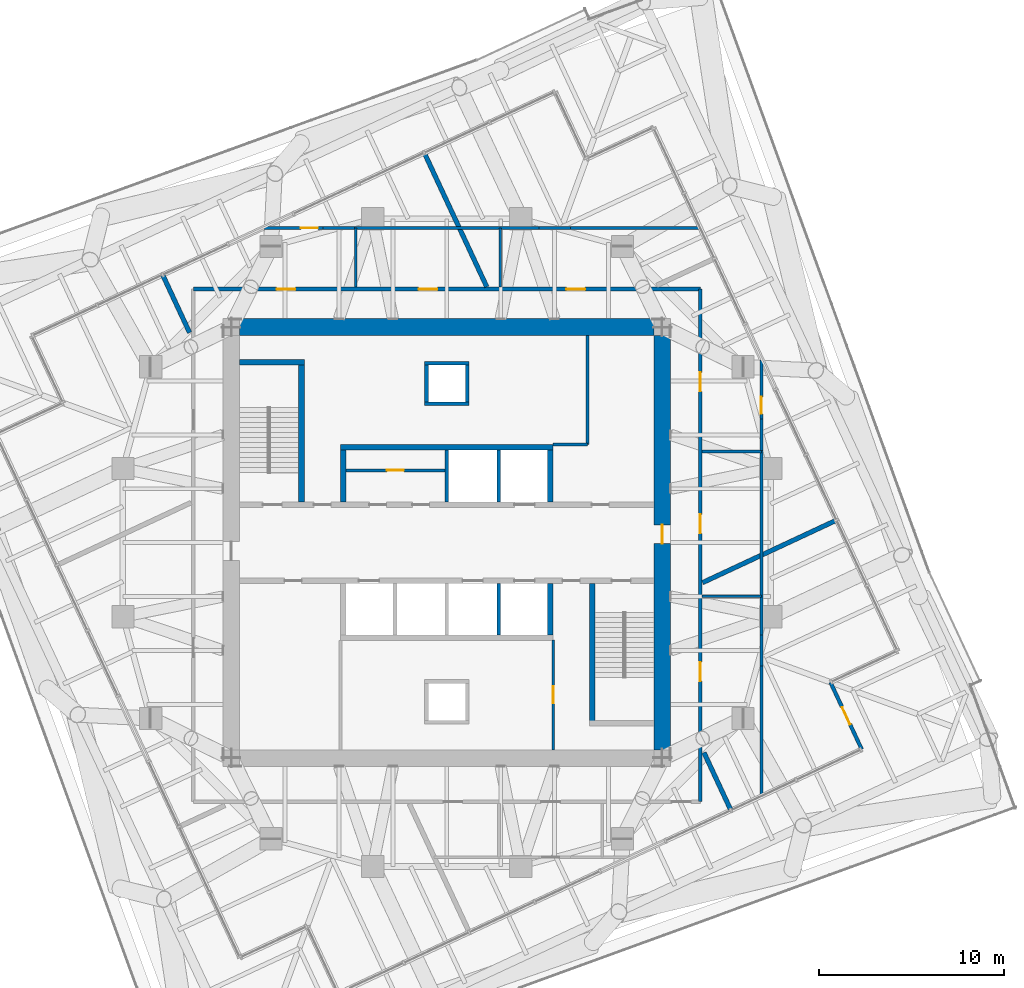
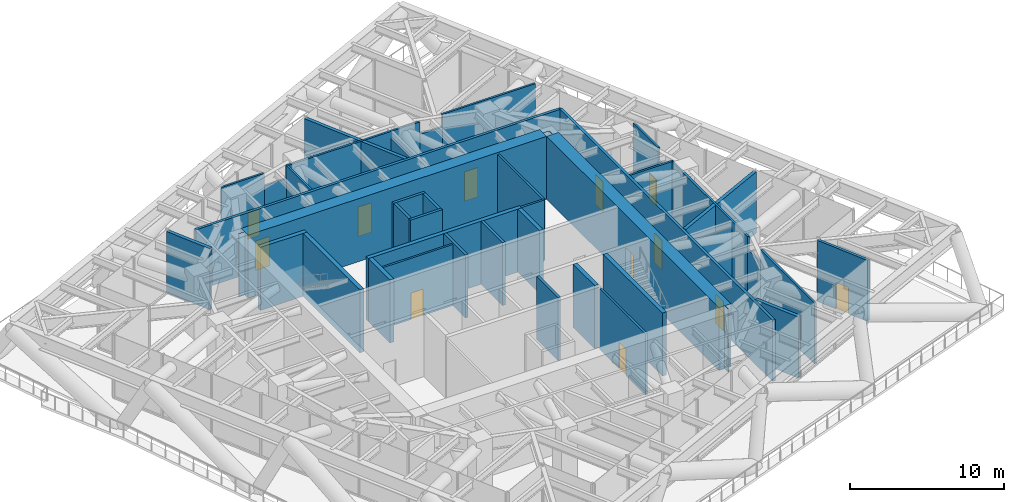
# One storey, part 10 of 16: 41 walls, 12 doors, 12 openings.
"""IFC4 building model written with IfcOpenShell, lengths in metres."""

from ifc_helpers import new_model, si_unit, direction, frame, frame_2d, origin, place, context, subcontext, project, spatial, polyline, rectangle, outline, extrude, material, layer, layer_set, type_object, element, fill, save


model = new_model("IFC4")

# Units and contexts
model_context = context("Model", 3, precision=1e-05, world=origin(), true_north=direction((0.0, 1.0)))
body_context = subcontext(model_context, "Body", "Model", "MODEL_VIEW")
ifc_project = project(units=[si_unit("LENGTHUNIT", "METRE"), si_unit("AREAUNIT", "SQUARE_METRE"), si_unit("VOLUMEUNIT", "CUBIC_METRE"), si_unit("PLANEANGLEUNIT", "RADIAN"), si_unit("MASSUNIT", "GRAM", prefix="KILO")], contexts=[model_context])

# Site, building, storey
site_placement = place(None, origin())
site = spatial("IfcSite", under=ifc_project, at=site_placement, CompositionType="ELEMENT")
building_placement = place(site_placement, origin())
building = spatial("IfcBuilding", under=site, at=building_placement, Name="Torsade Residences", CompositionType="ELEMENT")
storey_placement = place(building_placement, frame((0.0, 0.0, 171.0)))
storey = spatial("IfcBuildingStorey", under=building, at=storey_placement, Name="L47", CompositionType="ELEMENT", Elevation=171.0)

# Walls
ifc_material_1 = material(Name="Concrete 80 MPa", Category="concrete")
ifc_layer_1 = layer(ifc_material_1, 0.300048828125)
ifc_layer_set_1 = layer_set([ifc_layer_1], Name="Concrete 80 MPa")
wall_type_1 = type_object("IfcWallType", Name="CORE INTERNAL WALL 300", PredefinedType="SHEAR", material=ifc_layer_set_1)
wall_1_placement = place(storey_placement, frame((34.25, 35.14990234375, 0.0), z_axis=(0.0, 0.0, 1.0), x_axis=(1.0, 0.0, 0.0)))
element("IfcWall", 1, at=wall_1_placement, inside=storey, type_object=wall_type_1, Name="Core wall BN L47", PredefinedType="SHEAR", context=body_context, shape_type="SweptSolid", body=[
    extrude(rectangle(XDim=11.5, YDim=0.300048828125, at=frame_2d((5.75, 0.0))), origin(), (0.0, 0.0, 1.0), 5.0),
])
for number, where, z_axis, x_axis, name in (
    (2, (34.39990234375, 32.199951171875, 0.0), (0.0, 0.0, 1.0), (0.0, 1.0, 0.0), "Core wall DN0 L47"),
    (3, (45.60009765625, 27.800048828125, 0.0), (0.0, 0.0, 1.0), (0.0, -1.0, 0.0), "Core wall DS0 L47"),
    (4, (45.60009765625, 32.199951171875, 0.0), (0.0, 0.0, 1.0), (0.0, 1.0, 0.0), "Core wall DN4 L47"),
):
    element("IfcWall", number, at=place(storey_placement, frame(where, z_axis=z_axis, x_axis=x_axis)), inside=storey, type_object=wall_type_1, Name=name, PredefinedType="SHEAR", context=body_context, shape_type="SweptSolid", body=[
        extrude(rectangle(XDim=2.800048828125, YDim=0.300048828125, at=frame_2d((1.39990234375, 0.0))), origin(), (0.0, 0.0, 1.0), 5.0),
    ])
wall_2_placement = place(storey_placement, frame((32.14990234375, 32.199951171875, 0.0), z_axis=(0.0, 0.0, 1.0), x_axis=(0.0, 1.0, 0.0)))
element("IfcWall", 5, at=wall_2_placement, inside=storey, type_object=wall_type_1, Name="Core wall ST1E L47", PredefinedType="SHEAR", context=body_context, shape_type="SweptSolid", body=[
    extrude(rectangle(XDim=7.699951171875, YDim=0.300048828125, at=frame_2d((3.85009765625, 0.0))), origin(), (0.0, 0.0, 1.0), 5.0),
])
wall_3_placement = place(storey_placement, frame((28.800048828125, 39.75, 0.0), z_axis=(0.0, 0.0, 1.0), x_axis=(1.0, 0.0, 0.0)))
element("IfcWall", 6, at=wall_3_placement, inside=storey, type_object=wall_type_1, Name="Core wall ST1N L47", PredefinedType="SHEAR", context=body_context, shape_type="SweptSolid", body=[
    extrude(rectangle(XDim=3.5, YDim=0.300048828125, at=frame_2d((1.75, 0.0))), origin(), (0.0, 0.0, 1.0), 5.0),
])
wall_4_placement = place(storey_placement, frame((47.85009765625, 27.800048828125, 0.0), z_axis=(0.0, 0.0, 1.0), x_axis=(0.0, -1.0, 0.0)))
element("IfcWall", 7, at=wall_4_placement, inside=storey, type_object=wall_type_1, Name="Core wall ST2W L47", PredefinedType="SHEAR", context=body_context, shape_type="SweptSolid", body=[
    extrude(rectangle(XDim=7.699951171875, YDim=0.300048828125, at=frame_2d((3.85009765625, 0.0))), origin(), (0.0, 0.0, 1.0), 5.0),
])
ifc_material_2 = material(Name="Concrete 80 MPa", Category="concrete")
ifc_layer_2 = layer(ifc_material_2, 0.89990234375)
ifc_layer_set_2 = layer_set([ifc_layer_2], Name="Concrete 80 MPa")
wall_type_2 = type_object("IfcWallType", Name="CORE WALL 900", PredefinedType="SHEAR", material=ifc_layer_set_2)
wall_5_placement = place(storey_placement, frame((28.800048828125, 41.64990234375, 0.0), z_axis=(0.0, 0.0, 1.0), x_axis=(1.0, 0.0, 0.0)))
element("IfcWall", 8, at=wall_5_placement, inside=storey, type_object=wall_type_2, Name="Core wall N L47", PredefinedType="SHEAR", context=body_context, shape_type="SweptSolid", body=[
    extrude(outline(polyline([(0.0, -0.449951171875), (22.39990234375, -0.449951171875), (22.39990234375, -0.02490234375), (22.849853515625, -0.02490234375), (22.849853515625, 0.02490234375), (22.39990234375, 0.02490234375), (22.39990234375, 0.449951171875), (0.0, 0.449951171875), (0.0, 0.02490234375), (-0.449951171875, 0.02490234375), (-0.449951171875, -0.02490234375), (0.0, -0.02490234375), (0.0, -0.449951171875)])), origin(), (0.0, 0.0, 1.0), 5.0),
])

# Wall, opening, door
wall_6_placement = place(storey_placement, frame((51.64990234375, 18.800048828125, 0.0), z_axis=(0.0, 0.0, 1.0), x_axis=(0.0, 1.0, 0.0)))
wall_6 = element("IfcWall", 9, at=wall_6_placement, inside=storey, type_object=wall_type_2, Name="Core wall E L47", PredefinedType="SHEAR", context=body_context, shape_type="SweptSolid", body=[
    extrude(outline(polyline([(0.0, -0.449951171875), (22.39990234375, -0.449951171875), (22.39990234375, -0.02490234375), (22.849853515625, -0.02490234375), (22.849853515625, 0.02490234375), (22.39990234375, 0.02490234375), (22.39990234375, 0.449951171875), (0.0, 0.449951171875), (0.0, 0.02490234375), (-0.449951171875, 0.02490234375), (-0.449951171875, -0.02490234375), (0.0, -0.02490234375), (0.0, -0.449951171875)])), origin(), (0.0, 0.0, 1.0), 5.0),
])
opening_1_placement = place(wall_6_placement, frame((11.139892578125, 0.0, 0.0)))
opening_1 = element("IfcOpeningElement", 10, at=opening_1_placement, cuts=wall_6, Name="Opening D04", PredefinedType="OPENING", context=body_context, shape_type="SweptSolid", body=[
    extrude(rectangle(XDim=1.02001953125, YDim=2.39990234375, at=frame_2d((0.510009765625, 1.199951171875))), frame((0.0, 0.4599609375, 0.0), z_axis=(0.0, -1.0, 0.0), x_axis=(1.0, 0.0, 0.0)), (0.0, 0.0, 1.0), 0.919921875),
])
ifc_material_3 = material(Name="Steel-framed fire door", Category="steel")
door_type_1 = type_object("IfcDoorType", Name="LOBBY SMOKE DOOR 1020x2400", OperationType="NOTDEFINED", PredefinedType="DOOR", material=ifc_material_3)
door_1_placement = place(opening_1_placement, origin())
door_1 = element("IfcDoor", 11, at=door_1_placement, inside=storey, type_object=door_type_1, Name="Lift lobby door E L47", OperationType="SINGLE_SWING_LEFT", OverallHeight=2.39990234375, OverallWidth=1.02001953125, PredefinedType="DOOR", context=body_context, shape_type="SweptSolid", body=[
    extrude(rectangle(XDim=1.02001953125, YDim=2.39990234375, at=frame_2d((0.510009765625, 1.199951171875))), frame((0.0, 0.02490234375, 0.0), z_axis=(0.0, -1.0, 0.0), x_axis=(1.0, 0.0, 0.0)), (0.0, 0.0, 1.0), 0.050048828125),
])
fill(opening_1, door_1)

# Wall, openings, doors
ifc_material_4 = material(Name="Plasterboard on steel stud", Category="steel")
ifc_layer_3 = layer(ifc_material_4, 0.199951171875)
ifc_layer_set_3 = layer_set([ifc_layer_3], Name="Plasterboard on steel stud")
wall_type_3 = type_object("IfcWallType", Name="CORRIDOR WALL 200", PredefinedType="PARTITIONING", material=ifc_layer_set_3)
wall_7_placement = place(storey_placement, frame((53.699951171875, 16.0, 0.0), z_axis=(0.0, 0.0, 1.0), x_axis=(0.0, 1.0, 0.0)))
wall_7 = element("IfcWall", 12, at=wall_7_placement, inside=storey, type_object=wall_type_3, Name="Corridor wall L47", PredefinedType="PARTITIONING", context=body_context, shape_type="SweptSolid", body=[
    extrude(rectangle(XDim=27.699951171875, YDim=0.199951171875, at=frame_2d((13.85009765625, 0.0))), origin(), (0.0, 0.0, 1.0), 4.85009765625),
])
opening_2_placement = place(wall_7_placement, frame((22.176025390625, 0.0, 0.0)))
opening_2 = element("IfcOpeningElement", 13, at=opening_2_placement, cuts=wall_7, Name="Opening D01", PredefinedType="OPENING", context=body_context, shape_type="SweptSolid", body=[
    extrude(rectangle(XDim=1.02001953125, YDim=2.340087890625, at=frame_2d((0.510009765625, 1.169921875))), frame((0.0, 0.10986328125, 0.0), z_axis=(0.0, -1.0, 0.0), x_axis=(1.0, 0.0, 0.0)), (0.0, 0.0, 1.0), 0.219970703125),
])
opening_3_placement = place(wall_7_placement, frame((6.518798828125, 0.0, 0.0)))
opening_3 = element("IfcOpeningElement", 14, at=opening_3_placement, cuts=wall_7, Name="Opening D01", PredefinedType="OPENING", context=body_context, shape_type="SweptSolid", body=[
    extrude(rectangle(XDim=1.02001953125, YDim=2.340087890625, at=frame_2d((0.510009765625, 1.169921875))), frame((0.0, 0.10986328125, 0.0), z_axis=(0.0, -1.0, 0.0), x_axis=(1.0, 0.0, 0.0)), (0.0, 0.0, 1.0), 0.219970703125),
])
opening_4_placement = place(wall_7_placement, frame((14.505126953125, 0.0, 0.0)))
opening_4 = element("IfcOpeningElement", 15, at=opening_4_placement, cuts=wall_7, Name="Opening D01", PredefinedType="OPENING", context=body_context, shape_type="SweptSolid", body=[
    extrude(rectangle(XDim=1.02001953125, YDim=2.340087890625, at=frame_2d((0.510009765625, 1.169921875))), frame((0.0, 0.10986328125, 0.0), z_axis=(0.0, -1.0, 0.0), x_axis=(1.0, 0.0, 0.0)), (0.0, 0.0, 1.0), 0.219970703125),
])
ifc_material_5 = material(Name="Solid-core timber fire door", Category="wood")
door_type_2 = type_object("IfcDoorType", Name="APARTMENT ENTRY DOOR 1020x2340", OperationType="NOTDEFINED", PredefinedType="DOOR", material=ifc_material_5)
door_2_placement = place(opening_2_placement, origin())
door_2 = element("IfcDoor", 16, at=door_2_placement, inside=storey, type_object=door_type_2, Name="Door Plant corridor to Service lobby", OperationType="SINGLE_SWING_RIGHT", OverallHeight=2.340087890625, OverallWidth=1.02001953125, PredefinedType="DOOR", context=body_context, shape_type="SweptSolid", body=[
    extrude(rectangle(XDim=1.02001953125, YDim=2.340087890625, at=frame_2d((0.510009765625, 1.169921875))), frame((0.0, 0.02490234375, 0.0), z_axis=(0.0, -1.0, 0.0), x_axis=(1.0, 0.0, 0.0)), (0.0, 0.0, 1.0), 0.050048828125),
])
fill(opening_2, door_2)
door_3_placement = place(opening_3_placement, origin())
door_3 = element("IfcDoor", 17, at=door_3_placement, inside=storey, type_object=door_type_2, Name="Door Plant corridor to Plant cupboard", OperationType="SINGLE_SWING_LEFT", OverallHeight=2.340087890625, OverallWidth=1.02001953125, PredefinedType="DOOR", context=body_context, shape_type="SweptSolid", body=[
    extrude(rectangle(XDim=1.02001953125, YDim=2.340087890625, at=frame_2d((0.510009765625, 1.169921875))), frame((0.0, 0.02490234375, 0.0), z_axis=(0.0, -1.0, 0.0), x_axis=(1.0, 0.0, 0.0)), (0.0, 0.0, 1.0), 0.050048828125),
])
fill(opening_3, door_3)
door_4_placement = place(opening_4_placement, origin())
door_4 = element("IfcDoor", 18, at=door_4_placement, inside=storey, type_object=door_type_2, Name="Door Plant corridor to Store", OperationType="SINGLE_SWING_LEFT", OverallHeight=2.340087890625, OverallWidth=1.02001953125, PredefinedType="DOOR", context=body_context, shape_type="SweptSolid", body=[
    extrude(rectangle(XDim=1.02001953125, YDim=2.340087890625, at=frame_2d((0.510009765625, 1.169921875))), frame((0.0, 0.02490234375, 0.0), z_axis=(0.0, -1.0, 0.0), x_axis=(1.0, 0.0, 0.0)), (0.0, 0.0, 1.0), 0.050048828125),
])
fill(opening_4, door_4)

wall_8_placement = place(storey_placement, frame((53.699951171875, 43.699951171875, 0.0), z_axis=(0.0, 0.0, 1.0), x_axis=(-1.0, 0.0, 0.0)))
wall_8 = element("IfcWall", 19, at=wall_8_placement, inside=storey, type_object=wall_type_3, Name="Corridor wall L47", PredefinedType="PARTITIONING", context=body_context, shape_type="SweptSolid", body=[
    extrude(rectangle(XDim=27.39990234375, YDim=0.199951171875, at=frame_2d((13.699951171875, 0.0))), origin(), (0.0, 0.0, 1.0), 4.85009765625),
])
opening_5_placement = place(wall_8_placement, frame((21.8759765625, 0.0, 0.0)))
opening_5 = element("IfcOpeningElement", 20, at=opening_5_placement, cuts=wall_8, Name="Opening D01", PredefinedType="OPENING", context=body_context, shape_type="SweptSolid", body=[
    extrude(rectangle(XDim=1.02001953125, YDim=2.340087890625, at=frame_2d((0.510009765625, 1.169921875))), frame((0.0, 0.10986328125, 0.0), z_axis=(0.0, -1.0, 0.0), x_axis=(1.0, 0.0, 0.0)), (0.0, 0.0, 1.0), 0.219970703125),
])
opening_6_placement = place(wall_8_placement, frame((6.218994140625, 0.0, 0.0)))
opening_6 = element("IfcOpeningElement", 21, at=opening_6_placement, cuts=wall_8, Name="Opening D01", PredefinedType="OPENING", context=body_context, shape_type="SweptSolid", body=[
    extrude(rectangle(XDim=1.02001953125, YDim=2.340087890625, at=frame_2d((0.510009765625, 1.169921875))), frame((0.0, 0.10986328125, 0.0), z_axis=(0.0, -1.0, 0.0), x_axis=(1.0, 0.0, 0.0)), (0.0, 0.0, 1.0), 0.219970703125),
])
opening_7_placement = place(wall_8_placement, frame((14.205078125, 0.0, 0.0)))
opening_7 = element("IfcOpeningElement", 22, at=opening_7_placement, cuts=wall_8, Name="Opening D01", PredefinedType="OPENING", context=body_context, shape_type="SweptSolid", body=[
    extrude(rectangle(XDim=1.02001953125, YDim=2.340087890625, at=frame_2d((0.510009765625, 1.169921875))), frame((0.0, 0.10986328125, 0.0), z_axis=(0.0, -1.0, 0.0), x_axis=(1.0, 0.0, 0.0)), (0.0, 0.0, 1.0), 0.219970703125),
])
door_5_placement = place(opening_5_placement, origin())
door_5 = element("IfcDoor", 23, at=door_5_placement, inside=storey, type_object=door_type_2, Name="Door Plant corridor to Service lobby", OperationType="SINGLE_SWING_LEFT", OverallHeight=2.340087890625, OverallWidth=1.02001953125, PredefinedType="DOOR", context=body_context, shape_type="SweptSolid", body=[
    extrude(rectangle(XDim=1.02001953125, YDim=2.340087890625, at=frame_2d((0.510009765625, 1.169921875))), frame((0.0, 0.02490234375, 0.0), z_axis=(0.0, -1.0, 0.0), x_axis=(1.0, 0.0, 0.0)), (0.0, 0.0, 1.0), 0.050048828125),
])
fill(opening_5, door_5)
door_6_placement = place(opening_6_placement, origin())
door_6 = element("IfcDoor", 24, at=door_6_placement, inside=storey, type_object=door_type_2, Name="Door Plant corridor to Plant cupboard", OperationType="SINGLE_SWING_RIGHT", OverallHeight=2.340087890625, OverallWidth=1.02001953125, PredefinedType="DOOR", context=body_context, shape_type="SweptSolid", body=[
    extrude(rectangle(XDim=1.02001953125, YDim=2.340087890625, at=frame_2d((0.510009765625, 1.169921875))), frame((0.0, 0.02490234375, 0.0), z_axis=(0.0, -1.0, 0.0), x_axis=(1.0, 0.0, 0.0)), (0.0, 0.0, 1.0), 0.050048828125),
])
fill(opening_6, door_6)
door_7_placement = place(opening_7_placement, origin())
door_7 = element("IfcDoor", 25, at=door_7_placement, inside=storey, type_object=door_type_2, Name="Door Plant corridor to Store", OperationType="SINGLE_SWING_RIGHT", OverallHeight=2.340087890625, OverallWidth=1.02001953125, PredefinedType="DOOR", context=body_context, shape_type="SweptSolid", body=[
    extrude(rectangle(XDim=1.02001953125, YDim=2.340087890625, at=frame_2d((0.510009765625, 1.169921875))), frame((0.0, 0.02490234375, 0.0), z_axis=(0.0, -1.0, 0.0), x_axis=(1.0, 0.0, 0.0)), (0.0, 0.0, 1.0), 0.050048828125),
])
fill(opening_7, door_7)

# Walls
ifc_material_6 = material(Name="Reinforced blockwork", Category="masonry")
ifc_layer_4 = layer(ifc_material_6, 0.199951171875)
ifc_layer_set_4 = layer_set([ifc_layer_4], Name="Reinforced blockwork")
wall_type_4 = type_object("IfcWallType", Name="LIFT SHAFT DIVIDING WALL 200", PredefinedType="SOLIDWALL", material=ifc_layer_set_4)
for number, where, z_axis, x_axis, name in (
    (26, (42.800048828125, 27.800048828125, 0.0), (0.0, 0.0, 1.0), (0.0, -1.0, 0.0), "Core wall DS1 L47"),
    (27, (40.0, 32.199951171875, 0.0), (0.0, 0.0, 1.0), (0.0, 1.0, 0.0), "Core wall DN2 L47"),
    (28, (42.800048828125, 32.199951171875, 0.0), (0.0, 0.0, 1.0), (0.0, 1.0, 0.0), "Core wall DN3 L47"),
):
    element("IfcWall", number, at=place(storey_placement, frame(where, z_axis=z_axis, x_axis=x_axis)), inside=storey, type_object=wall_type_4, Name=name, PredefinedType="SOLIDWALL", context=body_context, shape_type="SweptSolid", body=[
        extrude(rectangle(XDim=2.800048828125, YDim=0.199951171875, at=frame_2d((1.39990234375, 0.0))), origin(), (0.0, 0.0, 1.0), 5.0),
    ])
ifc_material_7 = material(Name="Masonry-lined stud party wall", Category="masonry")
ifc_layer_5 = layer(ifc_material_7, 0.25)
ifc_layer_set_5 = layer_set([ifc_layer_5], Name="Masonry-lined stud party wall")
wall_type_5 = type_object("IfcWallType", Name="PARTY WALL 250", PredefinedType="PARTITIONING", material=ifc_layer_set_5)
wall_9_placement = place(storey_placement, frame((55.3525390625, 15.53271484375, 0.0), z_axis=(0.0, 0.0, 1.0), x_axis=(-0.422586759932, 0.906322475905, 0.0)))
element("IfcWall", 29, at=wall_9_placement, inside=storey, type_object=wall_type_5, Name="Party wall L47", PredefinedType="PARTITIONING", context=body_context, shape_type="SweptSolid", body=[
    extrude(rectangle(XDim=3.445556640625, YDim=0.25, at=frame_2d((1.72265625, 0.0))), origin(), (0.0, 0.0, 1.0), 4.85009765625),
])
for number, where, z_axis, x_axis, name in (
    (30, (61.06005859375, 31.214111328125, 0.0), (0.0, 0.0, 1.0), (-0.906306405344, -0.422621224778, 0.0), "Party wall L47"),
    (31, (38.785888671875, 51.06005859375, 0.0), (0.0, 0.0, 1.0), (0.422621224778, -0.906306405344, 0.0), "Party wall L47"),
):
    element("IfcWall", number, at=place(storey_placement, frame(where, z_axis=z_axis, x_axis=x_axis)), inside=storey, type_object=wall_type_5, Name=name, PredefinedType="PARTITIONING", context=body_context, shape_type="SweptSolid", body=[
        extrude(rectangle(XDim=7.9921875, YDim=0.25, at=frame_2d((3.99609375, 0.0))), origin(), (0.0, 0.0, 1.0), 4.85009765625),
    ])
wall_10_placement = place(storey_placement, frame((24.6474609375, 44.46728515625, 0.0), z_axis=(0.0, 0.0, 1.0), x_axis=(0.422586759932, -0.906322475905, 0.0)))
element("IfcWall", 32, at=wall_10_placement, inside=storey, type_object=wall_type_5, Name="Party wall L47", PredefinedType="PARTITIONING", context=body_context, shape_type="SweptSolid", body=[
    extrude(rectangle(XDim=3.445556640625, YDim=0.25, at=frame_2d((1.72265625, 0.0))), origin(), (0.0, 0.0, 1.0), 4.85009765625),
])

# Wall, opening, door
ifc_material_8 = material(Name="Stone-faced precast concrete 40 MPa panel", Category="masonry")
ifc_layer_6 = layer(ifc_material_8, 0.199951171875)
ifc_layer_set_6 = layer_set([ifc_layer_6], Name="Stone-faced precast concrete 40 MPa panel")
wall_type_6 = type_object("IfcWallType", Name="PLANT ROOM EXTERNAL WALL 200", PredefinedType="SOLIDWALL", material=ifc_layer_set_6)
wall_11_placement = place(storey_placement, frame((62.421630859375, 18.8291015625, 0.0), z_axis=(0.0, 0.0, 1.0), x_axis=(-0.422608113797, 0.906312519031, 0.0)))
wall_11 = element("IfcWall", 33, at=wall_11_placement, inside=storey, type_object=wall_type_6, Name="Plant room wall L47 2", PredefinedType="SOLIDWALL", context=body_context, shape_type="SweptSolid", body=[
    extrude(rectangle(XDim=4.0, YDim=0.199951171875, at=frame_2d((2.0, 0.0))), origin(), (0.0, 0.0, 1.0), 4.85009765625),
])
opening_8_placement = place(wall_11_placement, frame((1.489990234375, 0.0, 0.0)))
opening_8 = element("IfcOpeningElement", 34, at=opening_8_placement, cuts=wall_11, Name="Opening D11", PredefinedType="OPENING", context=body_context, shape_type="SweptSolid", body=[
    extrude(rectangle(XDim=1.02001953125, YDim=2.10009765625, at=frame_2d((0.510009765625, 1.050048828125))), frame((0.0, 0.10986328125, 0.0), z_axis=(0.0, -1.0, 0.0), x_axis=(1.0, 0.0, 0.0)), (0.0, 0.0, 1.0), 0.219970703125),
])
ifc_material_9 = material(Name="Steel-framed external door", Category="steel")
door_type_3 = type_object("IfcDoorType", Name="MAINTENANCE ROOF DOOR 1020", OperationType="NOTDEFINED", PredefinedType="DOOR", material=ifc_material_9)
door_8_placement = place(opening_8_placement, origin())
door_8 = element("IfcDoor", 35, at=door_8_placement, inside=storey, type_object=door_type_3, Name="Maintenance roof door L47", OperationType="SINGLE_SWING_RIGHT", OverallHeight=2.10009765625, OverallWidth=1.02001953125, PredefinedType="DOOR", context=body_context, shape_type="SweptSolid", body=[
    extrude(rectangle(XDim=1.02001953125, YDim=2.10009765625, at=frame_2d((0.510009765625, 1.050048828125))), frame((0.0, 0.02490234375, 0.0), z_axis=(0.0, -1.0, 0.0), x_axis=(1.0, 0.0, 0.0)), (0.0, 0.0, 1.0), 0.050048828125),
])
fill(opening_8, door_8)

# Walls
ifc_material_10 = material(Name="Reinforced blockwork", Category="masonry")
ifc_layer_7 = layer(ifc_material_10, 0.199951171875)
ifc_layer_set_7 = layer_set([ifc_layer_7], Name="Reinforced blockwork")
wall_type_7 = type_object("IfcWallType", Name="RISER SHAFT WALL 200", PredefinedType="SOLIDWALL", material=ifc_layer_set_7)
for number, where, z_axis, x_axis, name in (
    (36, (38.89990234375, 37.60009765625, 0.0), (0.0, 0.0, 1.0), (0.0, 1.0, 0.0), "Core wall RS1a L47"),
    (37, (41.10009765625, 37.60009765625, 0.0), (0.0, 0.0, 1.0), (0.0, 1.0, 0.0), "Core wall RS1b L47"),
):
    element("IfcWall", number, at=place(storey_placement, frame(where, z_axis=z_axis, x_axis=x_axis)), inside=storey, type_object=wall_type_7, Name=name, PredefinedType="SOLIDWALL", context=body_context, shape_type="SweptSolid", body=[
        extrude(rectangle(XDim=2.0, YDim=0.199951171875, at=frame_2d((1.0, 0.0))), origin(), (0.0, 0.0, 1.0), 5.0),
    ])
for number, where, z_axis, x_axis, name in (
    (38, (38.800048828125, 37.5, 0.0), (0.0, 0.0, 1.0), (1.0, 0.0, 0.0), "Core wall RS1c L47"),
    (39, (38.800048828125, 39.699951171875, 0.0), (0.0, 0.0, 1.0), (1.0, 0.0, 0.0), "Core wall RS1d L47"),
):
    element("IfcWall", number, at=place(storey_placement, frame(where, z_axis=z_axis, x_axis=x_axis)), inside=storey, type_object=wall_type_7, Name=name, PredefinedType="SOLIDWALL", context=body_context, shape_type="SweptSolid", body=[
        extrude(rectangle(XDim=2.39990234375, YDim=0.199951171875, at=frame_2d((1.199951171875, 0.0))), origin(), (0.0, 0.0, 1.0), 5.0),
    ])
ifc_material_11 = material(Name="Reinforced blockwork", Category="masonry")
ifc_layer_8 = layer(ifc_material_11, 0.14990234375)
ifc_layer_set_8 = layer_set([ifc_layer_8], Name="Reinforced blockwork")
wall_type_8 = type_object("IfcWallType", Name="SERVICE ROOM WALL 150", PredefinedType="SOLIDWALL", material=ifc_layer_set_8)
wall_12_placement = place(storey_placement, frame((47.60009765625, 41.199951171875, 0.0), z_axis=(0.0, 0.0, 1.0), x_axis=(0.0, -1.0, 0.0)))
element("IfcWall", 40, at=wall_12_placement, inside=storey, type_object=wall_type_8, Name="Service room wall L47", PredefinedType="SOLIDWALL", context=body_context, shape_type="SweptSolid", body=[
    extrude(rectangle(XDim=5.89990234375, YDim=0.14990234375, at=frame_2d((2.949951171875, 0.0))), origin(), (0.0, 0.0, 1.0), 4.85009765625),
])
wall_13_placement = place(storey_placement, frame((47.60009765625, 35.300048828125, 0.0), z_axis=(0.0, 0.0, 1.0), x_axis=(-1.0, 0.0, 0.0)))
element("IfcWall", 41, at=wall_13_placement, inside=storey, type_object=wall_type_8, Name="Service room wall L47", PredefinedType="SOLIDWALL", context=body_context, shape_type="SweptSolid", body=[
    extrude(rectangle(XDim=1.85009765625, YDim=0.14990234375, at=frame_2d((0.925048828125, 0.0))), origin(), (0.0, 0.0, 1.0), 4.85009765625),
])

# Wall, opening, door
wall_14_placement = place(storey_placement, frame((45.75, 18.800048828125, 0.0), z_axis=(0.0, 0.0, 1.0), x_axis=(0.0, 1.0, 0.0)))
wall_14 = element("IfcWall", 42, at=wall_14_placement, inside=storey, type_object=wall_type_8, Name="Service room wall L47", PredefinedType="SOLIDWALL", context=body_context, shape_type="SweptSolid", body=[
    extrude(rectangle(XDim=5.949951171875, YDim=0.14990234375, at=frame_2d((2.97509765625, 0.0))), origin(), (0.0, 0.0, 1.0), 4.85009765625),
])
opening_9_placement = place(wall_14_placement, frame((2.514892578125, 0.0, 0.0)))
opening_9 = element("IfcOpeningElement", 43, at=opening_9_placement, cuts=wall_14, Name="Opening D06", PredefinedType="OPENING", context=body_context, shape_type="SweptSolid", body=[
    extrude(rectangle(XDim=0.919921875, YDim=2.10009765625, at=frame_2d((0.4599609375, 1.050048828125))), frame((0.0, 0.0849609375, 0.0), z_axis=(0.0, -1.0, 0.0), x_axis=(1.0, 0.0, 0.0)), (0.0, 0.0, 1.0), 0.169921875),
])
ifc_material_12 = material(Name="Steel-framed fire door", Category="steel")
door_type_4 = type_object("IfcDoorType", Name="FIRE DOOR 920", OperationType="NOTDEFINED", PredefinedType="DOOR", material=ifc_material_12)
door_9_placement = place(opening_9_placement, origin())
door_9 = element("IfcDoor", 44, at=door_9_placement, inside=storey, type_object=door_type_4, Name="Door Security and data store to Communications riser room", OperationType="SINGLE_SWING_RIGHT", OverallHeight=2.10009765625, OverallWidth=0.919921875, PredefinedType="DOOR", context=body_context, shape_type="SweptSolid", body=[
    extrude(rectangle(XDim=0.919921875, YDim=2.10009765625, at=frame_2d((0.4599609375, 1.050048828125))), frame((0.0, 0.02490234375, 0.0), z_axis=(0.0, -1.0, 0.0), x_axis=(1.0, 0.0, 0.0)), (0.0, 0.0, 1.0), 0.050048828125),
])
fill(opening_9, door_9)

# Wall
wall_15_placement = place(storey_placement, frame((57.0, 34.921875, 0.0), z_axis=(0.0, 0.0, 1.0), x_axis=(-1.0, 0.0, 0.0)))
element("IfcWall", 45, at=wall_15_placement, inside=storey, type_object=wall_type_8, Name="Service room wall L47", PredefinedType="SOLIDWALL", context=body_context, shape_type="SweptSolid", body=[
    extrude(rectangle(XDim=3.199951171875, YDim=0.14990234375, at=frame_2d((1.60009765625, 0.0))), origin(), (0.0, 0.0, 1.0), 4.85009765625),
])

# Wall, opening, door
wall_16_placement = place(storey_placement, frame((57.0, 39.880859375, 0.0), z_axis=(0.0, 0.0, 1.0), x_axis=(0.0, -1.0, 0.0)))
wall_16 = element("IfcWall", 46, at=wall_16_placement, inside=storey, type_object=wall_type_8, Name="Service room wall L47", PredefinedType="SOLIDWALL", context=body_context, shape_type="SweptSolid", body=[
    extrude(rectangle(XDim=3.202392578125, YDim=0.14990234375, at=frame_2d((1.60107421875, 0.0))), origin(), (0.0, 0.0, 1.0), 4.85009765625),
])
opening_10_placement = place(wall_16_placement, frame((1.99951171875, 0.0, 0.0)))
opening_10 = element("IfcOpeningElement", 47, at=opening_10_placement, cuts=wall_16, Name="Opening D06", PredefinedType="OPENING", context=body_context, shape_type="SweptSolid", body=[
    extrude(rectangle(XDim=0.919921875, YDim=2.10009765625, at=frame_2d((0.4599609375, 1.050048828125))), frame((0.0, 0.0849609375, 0.0), z_axis=(0.0, -1.0, 0.0), x_axis=(1.0, 0.0, 0.0)), (0.0, 0.0, 1.0), 0.169921875),
])
door_10_placement = place(opening_10_placement, origin())
door_10 = element("IfcDoor", 48, at=door_10_placement, inside=storey, type_object=door_type_4, Name="Door Service lobby to Mechanical plant room", OperationType="SINGLE_SWING_RIGHT", OverallHeight=2.10009765625, OverallWidth=0.919921875, PredefinedType="DOOR", context=body_context, shape_type="SweptSolid", body=[
    extrude(rectangle(XDim=0.919921875, YDim=2.10009765625, at=frame_2d((0.4599609375, 1.050048828125))), frame((0.0, 0.02490234375, 0.0), z_axis=(0.0, -1.0, 0.0), x_axis=(1.0, 0.0, 0.0)), (0.0, 0.0, 1.0), 0.050048828125),
])
fill(opening_10, door_10)

# Walls
wall_17_placement = place(storey_placement, frame((57.0, 36.678466796875, 0.0), z_axis=(0.0, 0.0, 1.0), x_axis=(0.0, -1.0, 0.0)))
element("IfcWall", 49, at=wall_17_placement, inside=storey, type_object=wall_type_8, Name="Service room wall L47", PredefinedType="SOLIDWALL", context=body_context, shape_type="SweptSolid", body=[
    extrude(rectangle(XDim=1.690185546875, YDim=0.14990234375, at=frame_2d((0.84521484375, 0.0))), origin(), (0.0, 0.0, 1.0), 3.85009765625),
])
wall_18_placement = place(storey_placement, frame((57.0, 34.98828125, 0.0), z_axis=(0.0, 0.0, 1.0), x_axis=(0.0, -1.0, 0.0)))
element("IfcWall", 50, at=wall_18_placement, inside=storey, type_object=wall_type_8, Name="Service room wall L47", PredefinedType="SOLIDWALL", context=body_context, shape_type="SweptSolid", body=[
    extrude(rectangle(XDim=9.9765625, YDim=0.14990234375, at=frame_2d((4.98828125, 0.0))), origin(), (0.0, 0.0, 1.0), 4.85009765625),
])
wall_19_placement = place(storey_placement, frame((57.0, 25.01171875, 0.0), z_axis=(0.0, 0.0, 1.0), x_axis=(0.0, -1.0, 0.0)))
element("IfcWall", 51, at=wall_19_placement, inside=storey, type_object=wall_type_8, Name="Service room wall L47", PredefinedType="SOLIDWALL", context=body_context, shape_type="SweptSolid", body=[
    extrude(rectangle(XDim=1.690185546875, YDim=0.14990234375, at=frame_2d((0.84521484375, 0.0))), origin(), (0.0, 0.0, 1.0), 3.85009765625),
])
wall_20_placement = place(storey_placement, frame((57.0, 23.321533203125, 0.0), z_axis=(0.0, 0.0, 1.0), x_axis=(0.0, -1.0, 0.0)))
element("IfcWall", 52, at=wall_20_placement, inside=storey, type_object=wall_type_8, Name="Service room wall L47", PredefinedType="SOLIDWALL", context=body_context, shape_type="SweptSolid", body=[
    extrude(rectangle(XDim=6.976318359375, YDim=0.14990234375, at=frame_2d((3.48828125, 0.0))), origin(), (0.0, 0.0, 1.0), 4.85009765625),
])
wall_21_placement = place(storey_placement, frame((53.800048828125, 27.108154296875, 0.0), z_axis=(0.0, 0.0, 1.0), x_axis=(1.0, 0.0, 0.0)))
element("IfcWall", 53, at=wall_21_placement, inside=storey, type_object=wall_type_8, Name="Service room wall L47", PredefinedType="SOLIDWALL", context=body_context, shape_type="SweptSolid", body=[
    extrude(rectangle(XDim=3.199951171875, YDim=0.14990234375, at=frame_2d((1.60009765625, 0.0))), origin(), (0.0, 0.0, 1.0), 4.322021484375),
])
wall_22_placement = place(storey_placement, frame((35.078125, 47.0, 0.0), z_axis=(0.0, 0.0, 1.0), x_axis=(0.0, -1.0, 0.0)))
element("IfcWall", 54, at=wall_22_placement, inside=storey, type_object=wall_type_8, Name="Service room wall L47", PredefinedType="SOLIDWALL", context=body_context, shape_type="SweptSolid", body=[
    extrude(rectangle(XDim=3.199951171875, YDim=0.14990234375, at=frame_2d((1.60009765625, 0.0))), origin(), (0.0, 0.0, 1.0), 4.85009765625),
])

# Wall, opening, door
wall_23_placement = place(storey_placement, frame((30.119140625, 47.0, 0.0), z_axis=(0.0, 0.0, 1.0), x_axis=(1.0, 0.0, 0.0)))
wall_23 = element("IfcWall", 55, at=wall_23_placement, inside=storey, type_object=wall_type_8, Name="Service room wall L47", PredefinedType="SOLIDWALL", context=body_context, shape_type="SweptSolid", body=[
    extrude(rectangle(XDim=3.202392578125, YDim=0.14990234375, at=frame_2d((1.60107421875, 0.0))), origin(), (0.0, 0.0, 1.0), 4.85009765625),
])
opening_11_placement = place(wall_23_placement, frame((1.99951171875, 0.0, 0.0)))
opening_11 = element("IfcOpeningElement", 56, at=opening_11_placement, cuts=wall_23, Name="Opening D06", PredefinedType="OPENING", context=body_context, shape_type="SweptSolid", body=[
    extrude(rectangle(XDim=0.919921875, YDim=2.10009765625, at=frame_2d((0.4599609375, 1.050048828125))), frame((0.0, 0.0849609375, 0.0), z_axis=(0.0, -1.0, 0.0), x_axis=(1.0, 0.0, 0.0)), (0.0, 0.0, 1.0), 0.169921875),
])
door_11_placement = place(opening_11_placement, origin())
door_11 = element("IfcDoor", 57, at=door_11_placement, inside=storey, type_object=door_type_4, Name="Door Service lobby to Mechanical plant room", OperationType="SINGLE_SWING_RIGHT", OverallHeight=2.10009765625, OverallWidth=0.919921875, PredefinedType="DOOR", context=body_context, shape_type="SweptSolid", body=[
    extrude(rectangle(XDim=0.919921875, YDim=2.10009765625, at=frame_2d((0.4599609375, 1.050048828125))), frame((0.0, 0.02490234375, 0.0), z_axis=(0.0, -1.0, 0.0), x_axis=(1.0, 0.0, 0.0)), (0.0, 0.0, 1.0), 0.050048828125),
])
fill(opening_11, door_11)

# Walls
wall_24_placement = place(storey_placement, frame((33.321533203125, 47.0, 0.0), z_axis=(0.0, 0.0, 1.0), x_axis=(1.0, 0.0, 0.0)))
element("IfcWall", 58, at=wall_24_placement, inside=storey, type_object=wall_type_8, Name="Service room wall L47", PredefinedType="SOLIDWALL", context=body_context, shape_type="SweptSolid", body=[
    extrude(rectangle(XDim=1.690185546875, YDim=0.14990234375, at=frame_2d((0.84521484375, 0.0))), origin(), (0.0, 0.0, 1.0), 3.85009765625),
])
wall_25_placement = place(storey_placement, frame((35.01171875, 47.0, 0.0), z_axis=(0.0, 0.0, 1.0), x_axis=(1.0, 0.0, 0.0)))
element("IfcWall", 59, at=wall_25_placement, inside=storey, type_object=wall_type_8, Name="Service room wall L47", PredefinedType="SOLIDWALL", context=body_context, shape_type="SweptSolid", body=[
    extrude(rectangle(XDim=9.9765625, YDim=0.14990234375, at=frame_2d((4.98828125, 0.0))), origin(), (0.0, 0.0, 1.0), 4.85009765625),
])
wall_26_placement = place(storey_placement, frame((44.98828125, 47.0, 0.0), z_axis=(0.0, 0.0, 1.0), x_axis=(1.0, 0.0, 0.0)))
element("IfcWall", 60, at=wall_26_placement, inside=storey, type_object=wall_type_8, Name="Service room wall L47", PredefinedType="SOLIDWALL", context=body_context, shape_type="SweptSolid", body=[
    extrude(rectangle(XDim=1.690185546875, YDim=0.14990234375, at=frame_2d((0.84521484375, 0.0))), origin(), (0.0, 0.0, 1.0), 3.85009765625),
])
wall_27_placement = place(storey_placement, frame((46.678466796875, 47.0, 0.0), z_axis=(0.0, 0.0, 1.0), x_axis=(1.0, 0.0, 0.0)))
element("IfcWall", 61, at=wall_27_placement, inside=storey, type_object=wall_type_8, Name="Service room wall L47", PredefinedType="SOLIDWALL", context=body_context, shape_type="SweptSolid", body=[
    extrude(rectangle(XDim=6.976318359375, YDim=0.14990234375, at=frame_2d((3.48828125, 0.0))), origin(), (0.0, 0.0, 1.0), 4.85009765625),
])
wall_28_placement = place(storey_placement, frame((42.891845703125, 43.800048828125, 0.0), z_axis=(0.0, 0.0, 1.0), x_axis=(0.0, 1.0, 0.0)))
element("IfcWall", 62, at=wall_28_placement, inside=storey, type_object=wall_type_8, Name="Service room wall L47", PredefinedType="SOLIDWALL", context=body_context, shape_type="SweptSolid", body=[
    extrude(rectangle(XDim=3.199951171875, YDim=0.14990234375, at=frame_2d((1.60009765625, 0.0))), origin(), (0.0, 0.0, 1.0), 4.322021484375),
])

# Wall, opening, door
wall_29_placement = place(storey_placement, frame((34.550048828125, 33.89990234375, 0.0), z_axis=(0.0, 0.0, 1.0), x_axis=(1.0, 0.0, 0.0)))
wall_29 = element("IfcWall", 63, at=wall_29_placement, inside=storey, type_object=wall_type_8, Name="Service room wall L47", PredefinedType="SOLIDWALL", context=body_context, shape_type="SweptSolid", body=[
    extrude(rectangle(XDim=5.349853515625, YDim=0.14990234375, at=frame_2d((2.6748046875, 0.0))), origin(), (0.0, 0.0, 1.0), 4.85009765625),
])
opening_12_placement = place(wall_29_placement, frame((2.215087890625, 0.0, 0.0)))
opening_12 = element("IfcOpeningElement", 64, at=opening_12_placement, cuts=wall_29, Name="Opening D06", PredefinedType="OPENING", context=body_context, shape_type="SweptSolid", body=[
    extrude(rectangle(XDim=0.919921875, YDim=2.10009765625, at=frame_2d((0.4599609375, 1.050048828125))), frame((0.0, 0.0849609375, 0.0), z_axis=(0.0, -1.0, 0.0), x_axis=(1.0, 0.0, 0.0)), (0.0, 0.0, 1.0), 0.169921875),
])
door_12_placement = place(opening_12_placement, origin())
door_12 = element("IfcDoor", 65, at=door_12_placement, inside=storey, type_object=door_type_4, Name="Door IT equipment room L47A to Equipment store L47B", OperationType="SINGLE_SWING_RIGHT", OverallHeight=2.10009765625, OverallWidth=0.919921875, PredefinedType="DOOR", context=body_context, shape_type="SweptSolid", body=[
    extrude(rectangle(XDim=0.919921875, YDim=2.10009765625, at=frame_2d((0.4599609375, 1.050048828125))), frame((0.0, 0.02490234375, 0.0), z_axis=(0.0, -1.0, 0.0), x_axis=(1.0, 0.0, 0.0)), (0.0, 0.0, 1.0), 0.050048828125),
])
fill(opening_12, door_12)

save(model, "model.ifc")
